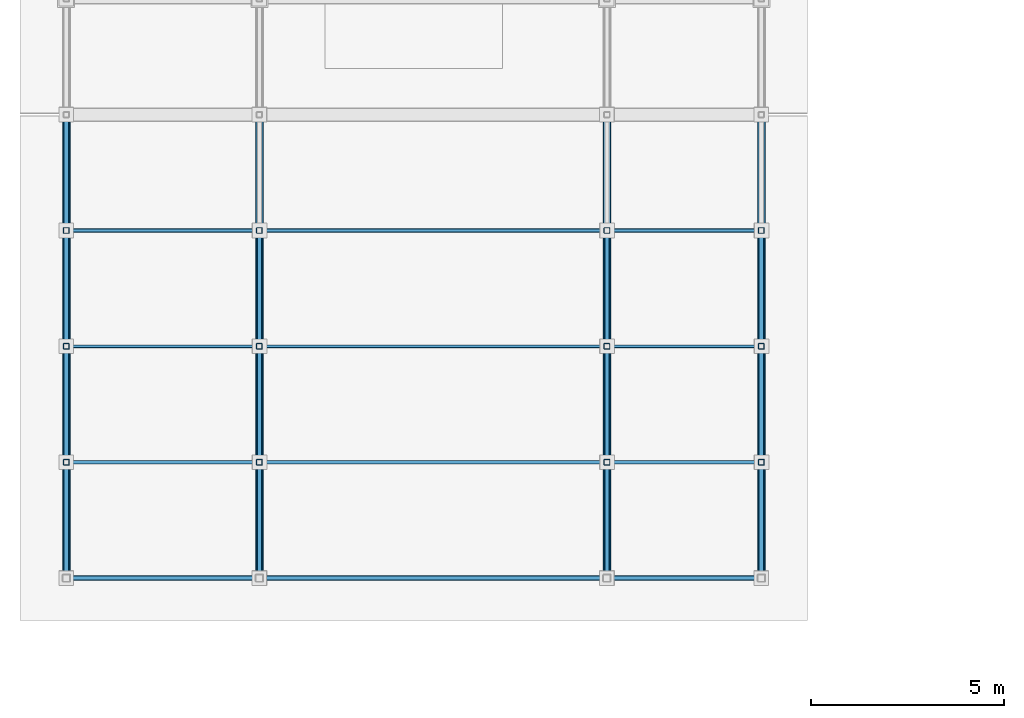
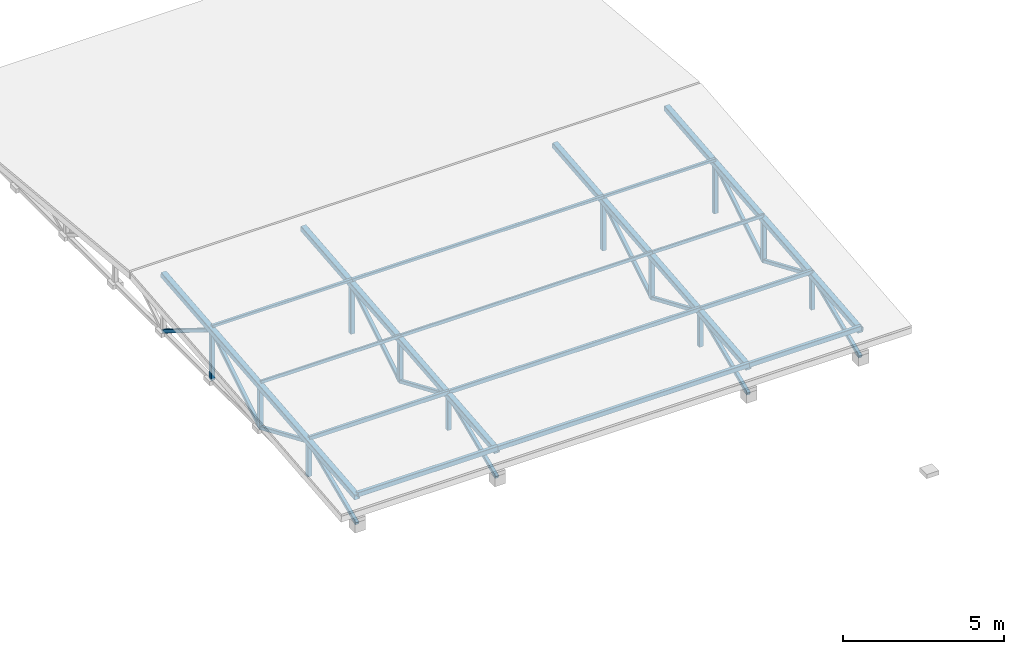
# One storey, part 8 of 25: 37 members, 4 beams.
"""IFC4 building model written with IfcOpenShell, lengths in metres."""

from ifc_helpers import new_model, si_unit, direction, frame, origin, origin_2d, place, context, subcontext, project, spatial, hollow_rectangle, extrude, material, material_profile, profile_set, type_object, element, save


model = new_model("IFC4")

# Units and contexts
model_context = context("Model", 3, precision=1e-05, world=origin(), true_north=direction((0.0, 1.0)))
body_context = subcontext(model_context, "Body", "Model", "MODEL_VIEW")
ifc_project = project(units=[si_unit("LENGTHUNIT", "METRE"), si_unit("AREAUNIT", "SQUARE_METRE"), si_unit("VOLUMEUNIT", "CUBIC_METRE"), si_unit("PLANEANGLEUNIT", "RADIAN"), si_unit("MASSUNIT", "GRAM", prefix="KILO"), si_unit("THERMODYNAMICTEMPERATUREUNIT", "KELVIN"), si_unit("POWERUNIT", "WATT")], contexts=[model_context])

# Site, building, storey
site_placement = place(None, origin())
site = spatial("IfcSite", under=ifc_project, at=site_placement, CompositionType="ELEMENT")
building_placement = place(site_placement, origin())
building = spatial("IfcBuilding", under=site, at=building_placement, Name="Zelmaris Science Centre", CompositionType="ELEMENT")
storey_placement = place(building_placement, frame((0.0, 0.0, 30.0)))
storey = spatial("IfcBuildingStorey", under=building, at=storey_placement, Name="RF", CompositionType="ELEMENT", Elevation=30.0)

# Beams
ifc_material = material(Name="Steel ASTM A500 Grade C", Category="steel")
ifc_material_profile_1 = material_profile(ifc_material, hollow_rectangle(XDim=0.203125, YDim=0.203125, WallThickness=0.01171875, InnerFilletRadius=0.01171875, OuterFilletRadius=0.023681640625, at=origin_2d()), Name="HSS203X203X13")
ifc_profile_set_1 = profile_set([ifc_material_profile_1], Name="Steel ASTM A500 Grade C")
beam_type = type_object("IfcBeamType", Name="Beam G-20 HSS203X203X13", PredefinedType="BEAM", material=ifc_profile_set_1)
for number, where, z_axis, x_axis, name in (
    (1, (58.0, 64.0, 1.347412109375), (0.0, 0.995440145093, 0.095388246325), (-1.0, 0.0, 0.0), "RF-V5 Roof truss 1 south top chord"),
    (2, (63.0, 64.0, 1.347412109375), (0.0, 0.995440145093, 0.095388246325), (-1.0, 0.0, 0.0), "RF-V5 Roof truss 2 south top chord"),
    (3, (72.0, 64.0, 1.347412109375), (0.0, 0.995440145093, 0.095388246325), (-1.0, 0.0, 0.0), "RF-V5 Roof truss 3 south top chord"),
    (4, (76.0, 64.0, 1.347412109375), (0.0, 0.995440145093, 0.095388246325), (-1.0, 0.0, 0.0), "RF-V5 Roof truss 4 south top chord"),
):
    element("IfcBeam", number, at=place(storey_placement, frame(where, z_axis=z_axis, x_axis=x_axis)), inside=storey, type_object=beam_type, Name=name, PredefinedType="BEAM", context=body_context, shape_type="SweptSolid", body=[
        extrude(hollow_rectangle(XDim=0.203125, YDim=0.203125, WallThickness=0.01171875, InnerFilletRadius=0.01171875, OuterFilletRadius=0.023681640625, at=origin_2d()), origin(), (0.0, 0.0, 1.0), 12.054931640625),
    ])

# Members
ifc_material_profile_2 = material_profile(ifc_material, hollow_rectangle(XDim=0.126953125, YDim=0.177734375, WallThickness=0.00732421875, InnerFilletRadius=0.00732421875, OuterFilletRadius=0.014892578125, at=origin_2d()), Name="HSS178X127X8")
ifc_profile_set_2 = profile_set([ifc_material_profile_2], Name="Steel ASTM A500 Grade C")
member_type_1 = type_object("IfcMemberType", Name="Roof Purlin PR-04 HSS178X127X8", PredefinedType="PURLIN", material=ifc_profile_set_2)
member_1_placement = place(storey_placement, frame((58.0, 64.0, 1.455078125), z_axis=(1.0, 0.0, 0.0), x_axis=(0.0, 1.0, 0.0)))
element("IfcMember", 5, at=member_1_placement, inside=storey, type_object=member_type_1, Name="RF-V5 Roof purlin 1", PredefinedType="PURLIN", context=body_context, shape_type="SweptSolid", body=[
    extrude(hollow_rectangle(XDim=0.126953125, YDim=0.177734375, WallThickness=0.00732421875, InnerFilletRadius=0.00732421875, OuterFilletRadius=0.014892578125, at=origin_2d()), origin(), (0.0, 0.0, 1.0), 5.0),
])
member_2_placement = place(storey_placement, frame((63.0, 64.0, 1.455078125), z_axis=(1.0, 0.0, 0.0), x_axis=(0.0, 1.0, 0.0)))
element("IfcMember", 6, at=member_2_placement, inside=storey, type_object=member_type_1, Name="RF-V5 Roof purlin 10", PredefinedType="PURLIN", context=body_context, shape_type="SweptSolid", body=[
    extrude(hollow_rectangle(XDim=0.126953125, YDim=0.177734375, WallThickness=0.00732421875, InnerFilletRadius=0.00732421875, OuterFilletRadius=0.014892578125, at=origin_2d()), origin(), (0.0, 0.0, 1.0), 9.0),
])
member_3_placement = place(storey_placement, frame((72.0, 64.0, 1.455078125), z_axis=(1.0, 0.0, 0.0), x_axis=(0.0, 1.0, 0.0)))
element("IfcMember", 7, at=member_3_placement, inside=storey, type_object=member_type_1, Name="RF-V5 Roof purlin 19", PredefinedType="PURLIN", context=body_context, shape_type="SweptSolid", body=[
    extrude(hollow_rectangle(XDim=0.126953125, YDim=0.177734375, WallThickness=0.00732421875, InnerFilletRadius=0.00732421875, OuterFilletRadius=0.014892578125, at=origin_2d()), origin(), (0.0, 0.0, 1.0), 4.0),
])
ifc_material_profile_3 = material_profile(ifc_material, hollow_rectangle(XDim=0.1015625, YDim=0.15234375, WallThickness=0.005859375, InnerFilletRadius=0.005859375, OuterFilletRadius=0.01171875, at=origin_2d()), Name="HSS152X102X6")
ifc_profile_set_3 = profile_set([ifc_material_profile_3], Name="Steel ASTM A500 Grade C")
member_type_2 = type_object("IfcMemberType", Name="Roof Purlin PR-05 HSS152X102X6", PredefinedType="PURLIN", material=ifc_profile_set_3)
member_4_placement = place(storey_placement, frame((58.0, 67.0, 1.755126953125), z_axis=(1.0, 0.0, 0.0), x_axis=(0.0, 1.0, 0.0)))
element("IfcMember", 8, at=member_4_placement, inside=storey, type_object=member_type_2, Name="RF-V5 Roof purlin 2", PredefinedType="PURLIN", context=body_context, shape_type="SweptSolid", body=[
    extrude(hollow_rectangle(XDim=0.1015625, YDim=0.15234375, WallThickness=0.005859375, InnerFilletRadius=0.005859375, OuterFilletRadius=0.01171875, at=origin_2d()), origin(), (0.0, 0.0, 1.0), 5.0),
])
member_5_placement = place(storey_placement, frame((63.0, 67.0, 1.755126953125), z_axis=(1.0, 0.0, 0.0), x_axis=(0.0, 1.0, 0.0)))
element("IfcMember", 9, at=member_5_placement, inside=storey, type_object=member_type_2, Name="RF-V5 Roof purlin 11", PredefinedType="PURLIN", context=body_context, shape_type="SweptSolid", body=[
    extrude(hollow_rectangle(XDim=0.1015625, YDim=0.15234375, WallThickness=0.005859375, InnerFilletRadius=0.005859375, OuterFilletRadius=0.01171875, at=origin_2d()), origin(), (0.0, 0.0, 1.0), 9.0),
])
member_6_placement = place(storey_placement, frame((72.0, 67.0, 1.755126953125), z_axis=(1.0, 0.0, 0.0), x_axis=(0.0, 1.0, 0.0)))
element("IfcMember", 10, at=member_6_placement, inside=storey, type_object=member_type_2, Name="RF-V5 Roof purlin 20", PredefinedType="PURLIN", context=body_context, shape_type="SweptSolid", body=[
    extrude(hollow_rectangle(XDim=0.1015625, YDim=0.15234375, WallThickness=0.005859375, InnerFilletRadius=0.005859375, OuterFilletRadius=0.01171875, at=origin_2d()), origin(), (0.0, 0.0, 1.0), 4.0),
])
ifc_material_profile_4 = material_profile(ifc_material, hollow_rectangle(XDim=0.076171875, YDim=0.126953125, WallThickness=0.005859375, InnerFilletRadius=0.005859375, OuterFilletRadius=0.01171875, at=origin_2d()), Name="HSS127X76X6")
ifc_profile_set_4 = profile_set([ifc_material_profile_4], Name="Steel ASTM A500 Grade C")
member_type_3 = type_object("IfcMemberType", Name="Roof Purlin PR-06 HSS127X76X6", PredefinedType="PURLIN", material=ifc_profile_set_4)
member_7_placement = place(storey_placement, frame((58.0, 70.0, 2.055419921875), z_axis=(1.0, 0.0, 0.0), x_axis=(0.0, 1.0, 0.0)))
element("IfcMember", 11, at=member_7_placement, inside=storey, type_object=member_type_3, Name="RF-V5 Roof purlin 3", PredefinedType="PURLIN", context=body_context, shape_type="SweptSolid", body=[
    extrude(hollow_rectangle(XDim=0.076171875, YDim=0.126953125, WallThickness=0.005859375, InnerFilletRadius=0.005859375, OuterFilletRadius=0.01171875, at=origin_2d()), origin(), (0.0, 0.0, 1.0), 5.0),
])
member_8_placement = place(storey_placement, frame((63.0, 70.0, 2.055419921875), z_axis=(1.0, 0.0, 0.0), x_axis=(0.0, 1.0, 0.0)))
element("IfcMember", 12, at=member_8_placement, inside=storey, type_object=member_type_3, Name="RF-V5 Roof purlin 12", PredefinedType="PURLIN", context=body_context, shape_type="SweptSolid", body=[
    extrude(hollow_rectangle(XDim=0.076171875, YDim=0.126953125, WallThickness=0.005859375, InnerFilletRadius=0.005859375, OuterFilletRadius=0.01171875, at=origin_2d()), origin(), (0.0, 0.0, 1.0), 9.0),
])
member_9_placement = place(storey_placement, frame((72.0, 70.0, 2.055419921875), z_axis=(1.0, 0.0, 0.0), x_axis=(0.0, 1.0, 0.0)))
element("IfcMember", 13, at=member_9_placement, inside=storey, type_object=member_type_3, Name="RF-V5 Roof purlin 21", PredefinedType="PURLIN", context=body_context, shape_type="SweptSolid", body=[
    extrude(hollow_rectangle(XDim=0.076171875, YDim=0.126953125, WallThickness=0.005859375, InnerFilletRadius=0.005859375, OuterFilletRadius=0.01171875, at=origin_2d()), origin(), (0.0, 0.0, 1.0), 4.0),
])
ifc_material_profile_5 = material_profile(ifc_material, hollow_rectangle(XDim=0.1015625, YDim=0.1015625, WallThickness=0.005859375, InnerFilletRadius=0.005859375, OuterFilletRadius=0.01171875, at=origin_2d()), Name="HSS102X102X6")
ifc_profile_set_5 = profile_set([ifc_material_profile_5], Name="Steel ASTM A500 Grade C")
member_type_4 = type_object("IfcMemberType", Name="Roof Purlin PR-07 HSS102X102X6", PredefinedType="PURLIN", material=ifc_profile_set_5)
member_10_placement = place(storey_placement, frame((58.0, 73.0, 2.355712890625), z_axis=(1.0, 0.0, 0.0), x_axis=(0.0, 1.0, 0.0)))
element("IfcMember", 14, at=member_10_placement, inside=storey, type_object=member_type_4, Name="RF-V5 Roof purlin 4", PredefinedType="PURLIN", context=body_context, shape_type="SweptSolid", body=[
    extrude(hollow_rectangle(XDim=0.1015625, YDim=0.1015625, WallThickness=0.005859375, InnerFilletRadius=0.005859375, OuterFilletRadius=0.01171875, at=origin_2d()), origin(), (0.0, 0.0, 1.0), 5.0),
])
member_11_placement = place(storey_placement, frame((63.0, 73.0, 2.355712890625), z_axis=(1.0, 0.0, 0.0), x_axis=(0.0, 1.0, 0.0)))
element("IfcMember", 15, at=member_11_placement, inside=storey, type_object=member_type_4, Name="RF-V5 Roof purlin 13", PredefinedType="PURLIN", context=body_context, shape_type="SweptSolid", body=[
    extrude(hollow_rectangle(XDim=0.1015625, YDim=0.1015625, WallThickness=0.005859375, InnerFilletRadius=0.005859375, OuterFilletRadius=0.01171875, at=origin_2d()), origin(), (0.0, 0.0, 1.0), 9.0),
])
member_12_placement = place(storey_placement, frame((72.0, 73.0, 2.355712890625), z_axis=(1.0, 0.0, 0.0), x_axis=(0.0, 1.0, 0.0)))
element("IfcMember", 16, at=member_12_placement, inside=storey, type_object=member_type_4, Name="RF-V5 Roof purlin 22", PredefinedType="PURLIN", context=body_context, shape_type="SweptSolid", body=[
    extrude(hollow_rectangle(XDim=0.1015625, YDim=0.1015625, WallThickness=0.005859375, InnerFilletRadius=0.005859375, OuterFilletRadius=0.01171875, at=origin_2d()), origin(), (0.0, 0.0, 1.0), 4.0),
])
ifc_material_profile_6 = material_profile(ifc_material, hollow_rectangle(XDim=0.15234375, YDim=0.15234375, WallThickness=0.0087890625, InnerFilletRadius=0.0087890625, OuterFilletRadius=0.017822265625, at=origin_2d()), Name="HSS152X152X10")
ifc_profile_set_6 = profile_set([ifc_material_profile_6], Name="Steel ASTM A500 Grade C")
member_type_5 = type_object("IfcMemberType", Name="Structural Brace BR-03 HSS152X152X10", PredefinedType="BRACE", material=ifc_profile_set_6)
member_13_placement = place(storey_placement, frame((58.0, 67.0, 0.347412109375), z_axis=(0.0, 0.0, 1.0), x_axis=(1.0, 0.0, 0.0)))
element("IfcMember", 17, at=member_13_placement, inside=storey, type_object=member_type_5, Name="RF-V5 Roof truss 1 vertical web 1", PredefinedType="BRACE", context=body_context, shape_type="SweptSolid", body=[
    extrude(hollow_rectangle(XDim=0.15234375, YDim=0.15234375, WallThickness=0.0087890625, InnerFilletRadius=0.0087890625, OuterFilletRadius=0.017822265625, at=origin_2d()), origin(), (0.0, 0.0, 1.0), 1.287353515625),
])
member_14_placement = place(storey_placement, frame((58.0, 70.0, 0.347412109375), z_axis=(0.0, 0.0, 1.0), x_axis=(1.0, 0.0, 0.0)))
element("IfcMember", 18, at=member_14_placement, inside=storey, type_object=member_type_5, Name="RF-V5 Roof truss 1 vertical web 2", PredefinedType="BRACE", context=body_context, shape_type="SweptSolid", body=[
    extrude(hollow_rectangle(XDim=0.15234375, YDim=0.15234375, WallThickness=0.0087890625, InnerFilletRadius=0.0087890625, OuterFilletRadius=0.017822265625, at=origin_2d()), origin(), (0.0, 0.0, 1.0), 1.574951171875),
])
member_15_placement = place(storey_placement, frame((58.0, 73.0, 0.347412109375), z_axis=(0.0, 0.0, 1.0), x_axis=(1.0, 0.0, 0.0)))
element("IfcMember", 19, at=member_15_placement, inside=storey, type_object=member_type_5, Name="RF-V5 Roof truss 1 vertical web 3", PredefinedType="BRACE", context=body_context, shape_type="SweptSolid", body=[
    extrude(hollow_rectangle(XDim=0.15234375, YDim=0.15234375, WallThickness=0.0087890625, InnerFilletRadius=0.0087890625, OuterFilletRadius=0.017822265625, at=origin_2d()), origin(), (0.0, 0.0, 1.0), 1.8623046875),
])
member_16_placement = place(storey_placement, frame((63.0, 67.0, 0.347412109375), z_axis=(0.0, 0.0, 1.0), x_axis=(1.0, 0.0, 0.0)))
element("IfcMember", 20, at=member_16_placement, inside=storey, type_object=member_type_5, Name="RF-V5 Roof truss 2 vertical web 1", PredefinedType="BRACE", context=body_context, shape_type="SweptSolid", body=[
    extrude(hollow_rectangle(XDim=0.15234375, YDim=0.15234375, WallThickness=0.0087890625, InnerFilletRadius=0.0087890625, OuterFilletRadius=0.017822265625, at=origin_2d()), origin(), (0.0, 0.0, 1.0), 1.287353515625),
])
member_17_placement = place(storey_placement, frame((63.0, 70.0, 0.347412109375), z_axis=(0.0, 0.0, 1.0), x_axis=(1.0, 0.0, 0.0)))
element("IfcMember", 21, at=member_17_placement, inside=storey, type_object=member_type_5, Name="RF-V5 Roof truss 2 vertical web 2", PredefinedType="BRACE", context=body_context, shape_type="SweptSolid", body=[
    extrude(hollow_rectangle(XDim=0.15234375, YDim=0.15234375, WallThickness=0.0087890625, InnerFilletRadius=0.0087890625, OuterFilletRadius=0.017822265625, at=origin_2d()), origin(), (0.0, 0.0, 1.0), 1.574951171875),
])
member_18_placement = place(storey_placement, frame((63.0, 73.0, 0.347412109375), z_axis=(0.0, 0.0, 1.0), x_axis=(1.0, 0.0, 0.0)))
element("IfcMember", 22, at=member_18_placement, inside=storey, type_object=member_type_5, Name="RF-V5 Roof truss 2 vertical web 3", PredefinedType="BRACE", context=body_context, shape_type="SweptSolid", body=[
    extrude(hollow_rectangle(XDim=0.15234375, YDim=0.15234375, WallThickness=0.0087890625, InnerFilletRadius=0.0087890625, OuterFilletRadius=0.017822265625, at=origin_2d()), origin(), (0.0, 0.0, 1.0), 1.8623046875),
])
member_19_placement = place(storey_placement, frame((72.0, 67.0, 0.347412109375), z_axis=(0.0, 0.0, 1.0), x_axis=(1.0, 0.0, 0.0)))
element("IfcMember", 23, at=member_19_placement, inside=storey, type_object=member_type_5, Name="RF-V5 Roof truss 3 vertical web 1", PredefinedType="BRACE", context=body_context, shape_type="SweptSolid", body=[
    extrude(hollow_rectangle(XDim=0.15234375, YDim=0.15234375, WallThickness=0.0087890625, InnerFilletRadius=0.0087890625, OuterFilletRadius=0.017822265625, at=origin_2d()), origin(), (0.0, 0.0, 1.0), 1.287353515625),
])
member_20_placement = place(storey_placement, frame((72.0, 70.0, 0.347412109375), z_axis=(0.0, 0.0, 1.0), x_axis=(1.0, 0.0, 0.0)))
element("IfcMember", 24, at=member_20_placement, inside=storey, type_object=member_type_5, Name="RF-V5 Roof truss 3 vertical web 2", PredefinedType="BRACE", context=body_context, shape_type="SweptSolid", body=[
    extrude(hollow_rectangle(XDim=0.15234375, YDim=0.15234375, WallThickness=0.0087890625, InnerFilletRadius=0.0087890625, OuterFilletRadius=0.017822265625, at=origin_2d()), origin(), (0.0, 0.0, 1.0), 1.574951171875),
])
member_21_placement = place(storey_placement, frame((72.0, 73.0, 0.347412109375), z_axis=(0.0, 0.0, 1.0), x_axis=(1.0, 0.0, 0.0)))
element("IfcMember", 25, at=member_21_placement, inside=storey, type_object=member_type_5, Name="RF-V5 Roof truss 3 vertical web 3", PredefinedType="BRACE", context=body_context, shape_type="SweptSolid", body=[
    extrude(hollow_rectangle(XDim=0.15234375, YDim=0.15234375, WallThickness=0.0087890625, InnerFilletRadius=0.0087890625, OuterFilletRadius=0.017822265625, at=origin_2d()), origin(), (0.0, 0.0, 1.0), 1.8623046875),
])
member_22_placement = place(storey_placement, frame((76.0, 67.0, 0.347412109375), z_axis=(0.0, 0.0, 1.0), x_axis=(1.0, 0.0, 0.0)))
element("IfcMember", 26, at=member_22_placement, inside=storey, type_object=member_type_5, Name="RF-V5 Roof truss 4 vertical web 1", PredefinedType="BRACE", context=body_context, shape_type="SweptSolid", body=[
    extrude(hollow_rectangle(XDim=0.15234375, YDim=0.15234375, WallThickness=0.0087890625, InnerFilletRadius=0.0087890625, OuterFilletRadius=0.017822265625, at=origin_2d()), origin(), (0.0, 0.0, 1.0), 1.287353515625),
])
member_23_placement = place(storey_placement, frame((76.0, 70.0, 0.347412109375), z_axis=(0.0, 0.0, 1.0), x_axis=(1.0, 0.0, 0.0)))
element("IfcMember", 27, at=member_23_placement, inside=storey, type_object=member_type_5, Name="RF-V5 Roof truss 4 vertical web 2", PredefinedType="BRACE", context=body_context, shape_type="SweptSolid", body=[
    extrude(hollow_rectangle(XDim=0.15234375, YDim=0.15234375, WallThickness=0.0087890625, InnerFilletRadius=0.0087890625, OuterFilletRadius=0.017822265625, at=origin_2d()), origin(), (0.0, 0.0, 1.0), 1.574951171875),
])
member_24_placement = place(storey_placement, frame((76.0, 73.0, 0.347412109375), z_axis=(0.0, 0.0, 1.0), x_axis=(1.0, 0.0, 0.0)))
element("IfcMember", 28, at=member_24_placement, inside=storey, type_object=member_type_5, Name="RF-V5 Roof truss 4 vertical web 3", PredefinedType="BRACE", context=body_context, shape_type="SweptSolid", body=[
    extrude(hollow_rectangle(XDim=0.15234375, YDim=0.15234375, WallThickness=0.0087890625, InnerFilletRadius=0.0087890625, OuterFilletRadius=0.017822265625, at=origin_2d()), origin(), (0.0, 0.0, 1.0), 1.8623046875),
])
ifc_material_profile_7 = material_profile(ifc_material, hollow_rectangle(XDim=0.126953125, YDim=0.126953125, WallThickness=0.00732421875, InnerFilletRadius=0.00732421875, OuterFilletRadius=0.014892578125, at=origin_2d()), Name="HSS127X127X8")
ifc_profile_set_7 = profile_set([ifc_material_profile_7], Name="Steel ASTM A500 Grade C")
member_type_6 = type_object("IfcMemberType", Name="Structural Brace BR-04 HSS127X127X8", PredefinedType="BRACE", material=ifc_profile_set_7)
for number, where, z_axis, x_axis, name in (
    (29, (58.0, 64.0, 0.347412109375), (0.0, 0.918963126212, 0.39434347042), (-1.0, 0.0, 0.0), "RF-V5 Roof truss 1 web diagonal 1"),
    (30, (58.0, 67.0, 1.634765625), (0.0, 0.918963126212, -0.39434347042), (-1.0, 0.0, 0.0), "RF-V5 Roof truss 1 web diagonal 2"),
):
    element("IfcMember", number, at=place(storey_placement, frame(where, z_axis=z_axis, x_axis=x_axis)), inside=storey, type_object=member_type_6, Name=name, PredefinedType="BRACE", context=body_context, shape_type="SweptSolid", body=[
        extrude(hollow_rectangle(XDim=0.126953125, YDim=0.126953125, WallThickness=0.00732421875, InnerFilletRadius=0.00732421875, OuterFilletRadius=0.014892578125, at=origin_2d()), origin(), (0.0, 0.0, 1.0), 3.2646484375),
    ])
for number, where, z_axis, x_axis, name in (
    (31, (58.0, 70.0, 0.347412109375), (0.0, 0.84961025299, 0.52741105223), (-1.0, 0.0, 0.0), "RF-V5 Roof truss 1 web diagonal 3"),
    (32, (58.0, 73.0, 2.209716796875), (0.0, 0.84961025299, -0.52741105223), (-1.0, 0.0, 0.0), "RF-V5 Roof truss 1 web diagonal 4"),
):
    element("IfcMember", number, at=place(storey_placement, frame(where, z_axis=z_axis, x_axis=x_axis)), inside=storey, type_object=member_type_6, Name=name, PredefinedType="BRACE", context=body_context, shape_type="SweptSolid", body=[
        extrude(hollow_rectangle(XDim=0.126953125, YDim=0.126953125, WallThickness=0.00732421875, InnerFilletRadius=0.00732421875, OuterFilletRadius=0.014892578125, at=origin_2d()), origin(), (0.0, 0.0, 1.0), 3.531005859375),
    ])
for number, where, z_axis, x_axis, name in (
    (33, (63.0, 64.0, 0.347412109375), (0.0, 0.918963126212, 0.39434347042), (-1.0, 0.0, 0.0), "RF-V5 Roof truss 2 web diagonal 1"),
    (34, (63.0, 67.0, 1.634765625), (0.0, 0.918963126212, -0.39434347042), (-1.0, 0.0, 0.0), "RF-V5 Roof truss 2 web diagonal 2"),
):
    element("IfcMember", number, at=place(storey_placement, frame(where, z_axis=z_axis, x_axis=x_axis)), inside=storey, type_object=member_type_6, Name=name, PredefinedType="BRACE", context=body_context, shape_type="SweptSolid", body=[
        extrude(hollow_rectangle(XDim=0.126953125, YDim=0.126953125, WallThickness=0.00732421875, InnerFilletRadius=0.00732421875, OuterFilletRadius=0.014892578125, at=origin_2d()), origin(), (0.0, 0.0, 1.0), 3.2646484375),
    ])
member_25_placement = place(storey_placement, frame((63.0, 70.0, 0.347412109375), z_axis=(0.0, 0.84961025299, 0.52741105223), x_axis=(-1.0, 0.0, 0.0)))
element("IfcMember", 35, at=member_25_placement, inside=storey, type_object=member_type_6, Name="RF-V5 Roof truss 2 web diagonal 3", PredefinedType="BRACE", context=body_context, shape_type="SweptSolid", body=[
    extrude(hollow_rectangle(XDim=0.126953125, YDim=0.126953125, WallThickness=0.00732421875, InnerFilletRadius=0.00732421875, OuterFilletRadius=0.014892578125, at=origin_2d()), origin(), (0.0, 0.0, 1.0), 3.531005859375),
])
for number, where, z_axis, x_axis, name in (
    (36, (72.0, 64.0, 0.347412109375), (0.0, 0.918963126212, 0.39434347042), (-1.0, 0.0, 0.0), "RF-V5 Roof truss 3 web diagonal 1"),
    (37, (72.0, 67.0, 1.634765625), (0.0, 0.918963126212, -0.39434347042), (-1.0, 0.0, 0.0), "RF-V5 Roof truss 3 web diagonal 2"),
):
    element("IfcMember", number, at=place(storey_placement, frame(where, z_axis=z_axis, x_axis=x_axis)), inside=storey, type_object=member_type_6, Name=name, PredefinedType="BRACE", context=body_context, shape_type="SweptSolid", body=[
        extrude(hollow_rectangle(XDim=0.126953125, YDim=0.126953125, WallThickness=0.00732421875, InnerFilletRadius=0.00732421875, OuterFilletRadius=0.014892578125, at=origin_2d()), origin(), (0.0, 0.0, 1.0), 3.2646484375),
    ])
member_26_placement = place(storey_placement, frame((72.0, 70.0, 0.347412109375), z_axis=(0.0, 0.84961025299, 0.52741105223), x_axis=(-1.0, 0.0, 0.0)))
element("IfcMember", 38, at=member_26_placement, inside=storey, type_object=member_type_6, Name="RF-V5 Roof truss 3 web diagonal 3", PredefinedType="BRACE", context=body_context, shape_type="SweptSolid", body=[
    extrude(hollow_rectangle(XDim=0.126953125, YDim=0.126953125, WallThickness=0.00732421875, InnerFilletRadius=0.00732421875, OuterFilletRadius=0.014892578125, at=origin_2d()), origin(), (0.0, 0.0, 1.0), 3.531005859375),
])
for number, where, z_axis, x_axis, name in (
    (39, (76.0, 64.0, 0.347412109375), (0.0, 0.918963126212, 0.39434347042), (-1.0, 0.0, 0.0), "RF-V5 Roof truss 4 web diagonal 1"),
    (40, (76.0, 67.0, 1.634765625), (0.0, 0.918963126212, -0.39434347042), (-1.0, 0.0, 0.0), "RF-V5 Roof truss 4 web diagonal 2"),
):
    element("IfcMember", number, at=place(storey_placement, frame(where, z_axis=z_axis, x_axis=x_axis)), inside=storey, type_object=member_type_6, Name=name, PredefinedType="BRACE", context=body_context, shape_type="SweptSolid", body=[
        extrude(hollow_rectangle(XDim=0.126953125, YDim=0.126953125, WallThickness=0.00732421875, InnerFilletRadius=0.00732421875, OuterFilletRadius=0.014892578125, at=origin_2d()), origin(), (0.0, 0.0, 1.0), 3.2646484375),
    ])
member_27_placement = place(storey_placement, frame((76.0, 70.0, 0.347412109375), z_axis=(0.0, 0.84961025299, 0.52741105223), x_axis=(-1.0, 0.0, 0.0)))
element("IfcMember", 41, at=member_27_placement, inside=storey, type_object=member_type_6, Name="RF-V5 Roof truss 4 web diagonal 3", PredefinedType="BRACE", context=body_context, shape_type="SweptSolid", body=[
    extrude(hollow_rectangle(XDim=0.126953125, YDim=0.126953125, WallThickness=0.00732421875, InnerFilletRadius=0.00732421875, OuterFilletRadius=0.014892578125, at=origin_2d()), origin(), (0.0, 0.0, 1.0), 3.531005859375),
])

save(model, "model.ifc")
